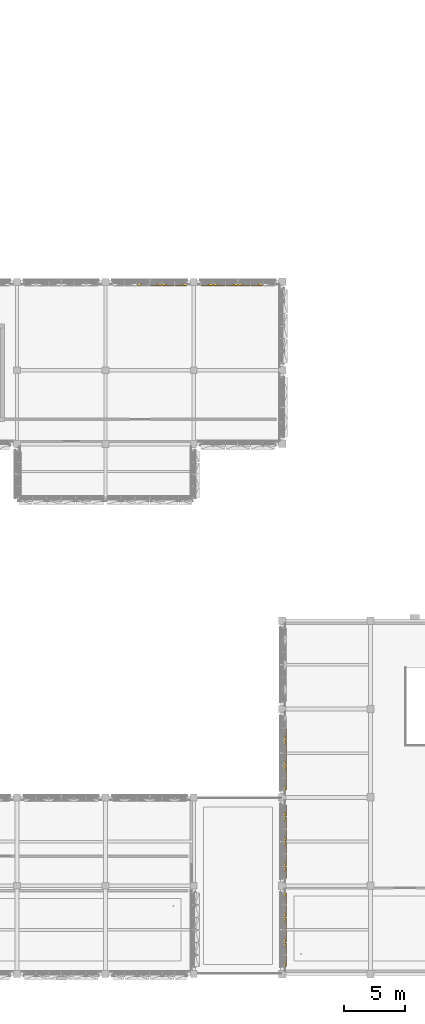
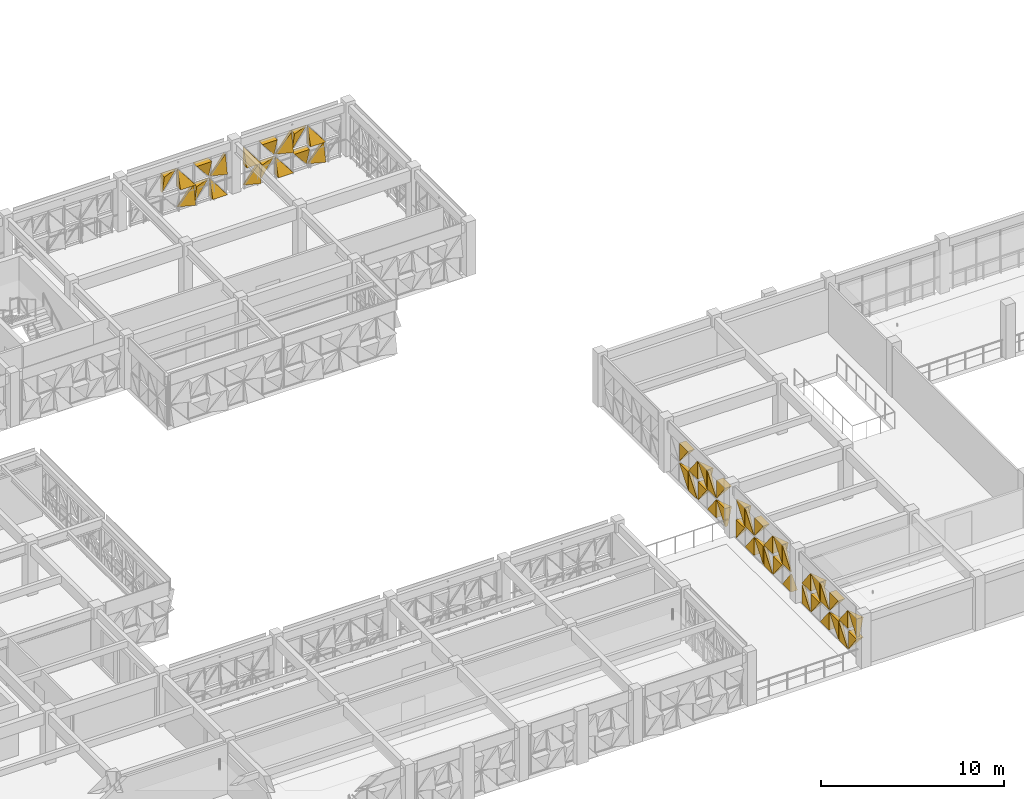
# One storey, part 84 of 85: 51 coverings.
"""IFC4 building model written with IfcOpenShell, lengths in metres."""

from ifc_helpers import new_model, si_unit, direction, frame, origin, place, context, subcontext, project, spatial, polygons, material, layer, layer_set, type_object, element, save


model = new_model("IFC4")

# Units and contexts
model_context = context("Model", 3, precision=1e-05, world=origin(), true_north=direction((0.0, 1.0)))
body_context = subcontext(model_context, "Body", "Model", "MODEL_VIEW")
ifc_project = project(units=[si_unit("LENGTHUNIT", "METRE"), si_unit("AREAUNIT", "SQUARE_METRE"), si_unit("VOLUMEUNIT", "CUBIC_METRE"), si_unit("PLANEANGLEUNIT", "RADIAN"), si_unit("MASSUNIT", "GRAM", prefix="KILO")], contexts=[model_context])

# Site, building, storey
site_placement = place(None, origin())
site = spatial("IfcSite", under=ifc_project, at=site_placement, CompositionType="ELEMENT")
building_placement = place(site_placement, origin())
building = spatial("IfcBuilding", under=site, at=building_placement, Name="Alvorim Cloister Faculty of Sciences", CompositionType="ELEMENT")
storey_placement = place(building_placement, frame((0.0, 0.0, 8.550048828125)))
storey = spatial("IfcBuildingStorey", under=building, at=storey_placement, Name="L02", CompositionType="ELEMENT", Elevation=8.550048828125)

# Coverings
ifc_material = material(Name="Perforated Bronze Alloy Sheet", Category="metal")
ifc_layer = layer(ifc_material, 0.0380859375)
ifc_layer_set = layer_set([ifc_layer], Name="Perforated Bronze Alloy Sheet")
covering_type = type_object("IfcCoveringType", Name="COV-TRI-BRZ", PredefinedType="CLADDING", material=ifc_layer_set)
covering_1_placement = place(storey_placement, frame((53.012451171875, 56.445068359375, 1.494873046875), z_axis=(0.0, 0.0, 1.0), x_axis=(1.0, 0.0, 0.0)))
element("IfcCovering", 1, at=covering_1_placement, inside=storey, type_object=covering_type, Name="Diagonal Solid Metal Triangle TRI-TL", PredefinedType="CLADDING", context=body_context, shape_type="Tessellation", body=[
    polygons([(0.953078125, 0.0260009765625, 1.215087890625), (0.0, 0.0260009765625, 1.215087890625), (0.0, 0.0260009765625, 0.002), (0.953078125, -0.03, 1.215087890625), (0.0, -0.4, 1.215087890625), (0.0, -0.13999999999999999, 0.002)], [[[1, 3, 2]], [[4, 5, 6]], [[1, 2, 5, 4]], [[2, 3, 6, 5]], [[3, 1, 4, 6]]], closed=True),
])
covering_2_placement = place(storey_placement, frame((54.032470703125, 56.445068359375, 0.139892578125), z_axis=(0.0, 0.0, 1.0), x_axis=(1.0, 0.0, 0.0)))
element("IfcCovering", 2, at=covering_2_placement, inside=storey, type_object=covering_type, Name="Diagonal Solid Metal Triangle TRI-BR", PredefinedType="CLADDING", context=body_context, shape_type="Tessellation", body=[
    polygons([(0.002, 0.0260009765625, 0.0), (0.955078125, 0.0260009765625, 0.0), (0.955078125, 0.0260009765625, 1.213087890625), (0.002, -0.03, 0.0), (0.955078125, -0.4, 0.0), (0.955078125, -0.18000000000000002, 1.213087890625)], [[[1, 3, 2]], [[4, 5, 6]], [[1, 2, 5, 4]], [[2, 3, 6, 5]], [[3, 1, 4, 6]]], closed=True),
])
covering_3_placement = place(storey_placement, frame((54.032470703125, 56.445068359375, 1.494873046875), z_axis=(0.0, 0.0, 1.0), x_axis=(1.0, 0.0, 0.0)))
element("IfcCovering", 3, at=covering_3_placement, inside=storey, type_object=covering_type, Name="Diagonal Solid Metal Triangle TRI-BL", PredefinedType="CLADDING", context=body_context, shape_type="Tessellation", body=[
    polygons([(0.0, 0.0260009765625, 0.0), (0.953078125, 0.0260009765625, 0.0), (0.0, 0.0260009765625, 1.213087890625), (0.0, -0.4, 0.0), (0.953078125, -0.4, 0.0), (0.0, -0.03, 1.213087890625)], [[[1, 3, 2]], [[4, 5, 6]], [[1, 2, 5, 4]], [[2, 3, 6, 5]], [[3, 1, 4, 6]]], closed=True),
])
covering_4_placement = place(storey_placement, frame((55.052490234375, 56.445068359375, 0.139892578125), z_axis=(0.0, 0.0, 1.0), x_axis=(1.0, 0.0, 0.0)))
element("IfcCovering", 4, at=covering_4_placement, inside=storey, type_object=covering_type, Name="Diagonal Solid Metal Triangle TRI-TL", PredefinedType="CLADDING", context=body_context, shape_type="Tessellation", body=[
    polygons([(0.953078125, 0.0260009765625, 1.215087890625), (0.0, 0.0260009765625, 1.215087890625), (0.0, 0.0260009765625, 0.002), (0.953078125, -0.03, 1.215087890625), (0.0, -0.4, 1.215087890625), (0.0, -0.13999999999999999, 0.002)], [[[1, 3, 2]], [[4, 5, 6]], [[1, 2, 5, 4]], [[2, 3, 6, 5]], [[3, 1, 4, 6]]], closed=True),
])
covering_5_placement = place(storey_placement, frame((55.052490234375, 56.445068359375, 1.494873046875), z_axis=(0.0, 0.0, 1.0), x_axis=(1.0, 0.0, 0.0)))
element("IfcCovering", 5, at=covering_5_placement, inside=storey, type_object=covering_type, Name="Diagonal Solid Metal Triangle TRI-TR", PredefinedType="CLADDING", context=body_context, shape_type="Tessellation", body=[
    polygons([(0.955078125, 0.0260009765625, 0.002), (0.955078125, 0.0260009765625, 1.215087890625), (0.002, 0.0260009765625, 1.215087890625), (0.955078125, -0.03, 0.002), (0.955078125, -0.4, 1.215087890625), (0.002, -0.4, 1.215087890625)], [[[1, 3, 2]], [[4, 5, 6]], [[1, 2, 5, 4]], [[2, 3, 6, 5]], [[3, 1, 4, 6]]], closed=True),
])
covering_6_placement = place(storey_placement, frame((56.072509765625, 56.445068359375, 0.139892578125), z_axis=(0.0, 0.0, 1.0), x_axis=(1.0, 0.0, 0.0)))
element("IfcCovering", 6, at=covering_6_placement, inside=storey, type_object=covering_type, Name="Diagonal Solid Metal Triangle TRI-BL", PredefinedType="CLADDING", context=body_context, shape_type="Tessellation", body=[
    polygons([(0.0, 0.0260009765625, 0.0), (0.920607421875, 0.0260009765625, 0.0), (0.0, 0.0260009765625, 1.213087890625), (0.0, -0.4, 0.0), (0.920607421875, -0.4, 0.0), (0.0, -0.03, 1.213087890625)], [[[1, 3, 2]], [[4, 5, 6]], [[1, 2, 5, 4]], [[2, 3, 6, 5]], [[3, 1, 4, 6]]], closed=True),
])
for number, where, z_axis, x_axis, name in (
    (7, (56.072509765625, 56.445068359375, 1.494873046875), (0.0, 0.0, 1.0), (1.0, 0.0, 0.0), "Diagonal Solid Metal Triangle TRI-BR"),
    (8, (58.205078125, 56.445068359375, 0.139892578125), (0.0, 0.0, 1.0), (1.0, 0.0, 0.0), "Diagonal Solid Metal Triangle TRI-BR"),
):
    element("IfcCovering", number, at=place(storey_placement, frame(where, z_axis=z_axis, x_axis=x_axis)), inside=storey, type_object=covering_type, Name=name, PredefinedType="CLADDING", context=body_context, shape_type="Tessellation", body=[
        polygons([(0.002, 0.0260009765625, 0.0), (0.922607421875, 0.0260009765625, 0.0), (0.922607421875, 0.0260009765625, 1.213087890625), (0.002, -0.03, 0.0), (0.922607421875, -0.4, 0.0), (0.922607421875, -0.18000000000000002, 1.213087890625)], [[[1, 3, 2]], [[4, 5, 6]], [[1, 2, 5, 4]], [[2, 3, 6, 5]], [[3, 1, 4, 6]]], closed=True),
    ])
covering_7_placement = place(storey_placement, frame((58.205078125, 56.445068359375, 1.494873046875), z_axis=(0.0, 0.0, 1.0), x_axis=(1.0, 0.0, 0.0)))
element("IfcCovering", 9, at=covering_7_placement, inside=storey, type_object=covering_type, Name="Diagonal Solid Metal Triangle TRI-BL", PredefinedType="CLADDING", context=body_context, shape_type="Tessellation", body=[
    polygons([(0.0, 0.0260009765625, 0.0), (0.920607421875, 0.0260009765625, 0.0), (0.0, 0.0260009765625, 1.213087890625), (0.0, -0.4, 0.0), (0.920607421875, -0.4, 0.0), (0.0, -0.03, 1.213087890625)], [[[1, 3, 2]], [[4, 5, 6]], [[1, 2, 5, 4]], [[2, 3, 6, 5]], [[3, 1, 4, 6]]], closed=True),
])
covering_8_placement = place(storey_placement, frame((59.1923828125, 56.445068359375, 0.139892578125), z_axis=(0.0, 0.0, 1.0), x_axis=(1.0, 0.0, 0.0)))
element("IfcCovering", 10, at=covering_8_placement, inside=storey, type_object=covering_type, Name="Diagonal Solid Metal Triangle TRI-TL", PredefinedType="CLADDING", context=body_context, shape_type="Tessellation", body=[
    polygons([(0.953078125, 0.0260009765625, 1.215087890625), (0.0, 0.0260009765625, 1.215087890625), (0.0, 0.0260009765625, 0.002), (0.953078125, -0.03, 1.215087890625), (0.0, -0.4, 1.215087890625), (0.0, -0.13999999999999999, 0.002)], [[[1, 3, 2]], [[4, 5, 6]], [[1, 2, 5, 4]], [[2, 3, 6, 5]], [[3, 1, 4, 6]]], closed=True),
])
covering_9_placement = place(storey_placement, frame((59.1923828125, 56.445068359375, 1.494873046875), z_axis=(0.0, 0.0, 1.0), x_axis=(1.0, 0.0, 0.0)))
element("IfcCovering", 11, at=covering_9_placement, inside=storey, type_object=covering_type, Name="Diagonal Solid Metal Triangle TRI-TR", PredefinedType="CLADDING", context=body_context, shape_type="Tessellation", body=[
    polygons([(0.955078125, 0.0260009765625, 0.002), (0.955078125, 0.0260009765625, 1.215087890625), (0.002, 0.0260009765625, 1.215087890625), (0.955078125, -0.03, 0.002), (0.955078125, -0.4, 1.215087890625), (0.002, -0.4, 1.215087890625)], [[[1, 3, 2]], [[4, 5, 6]], [[1, 2, 5, 4]], [[2, 3, 6, 5]], [[3, 1, 4, 6]]], closed=True),
])
covering_10_placement = place(storey_placement, frame((60.21240234375, 56.445068359375, 0.139892578125), z_axis=(0.0, 0.0, 1.0), x_axis=(1.0, 0.0, 0.0)))
element("IfcCovering", 12, at=covering_10_placement, inside=storey, type_object=covering_type, Name="Diagonal Solid Metal Triangle TRI-BL", PredefinedType="CLADDING", context=body_context, shape_type="Tessellation", body=[
    polygons([(0.0, 0.0260009765625, 0.0), (0.953078125, 0.0260009765625, 0.0), (0.0, 0.0260009765625, 1.213087890625), (0.0, -0.4, 0.0), (0.953078125, -0.4, 0.0), (0.0, -0.03, 1.213087890625)], [[[1, 3, 2]], [[4, 5, 6]], [[1, 2, 5, 4]], [[2, 3, 6, 5]], [[3, 1, 4, 6]]], closed=True),
])
covering_11_placement = place(storey_placement, frame((60.21240234375, 56.445068359375, 1.494873046875), z_axis=(0.0, 0.0, 1.0), x_axis=(1.0, 0.0, 0.0)))
element("IfcCovering", 13, at=covering_11_placement, inside=storey, type_object=covering_type, Name="Diagonal Solid Metal Triangle TRI-BR", PredefinedType="CLADDING", context=body_context, shape_type="Tessellation", body=[
    polygons([(0.002, 0.0260009765625, 0.0), (0.955078125, 0.0260009765625, 0.0), (0.955078125, 0.0260009765625, 1.213087890625), (0.002, -0.03, 0.0), (0.955078125, -0.4, 0.0), (0.955078125, -0.18000000000000002, 1.213087890625)], [[[1, 3, 2]], [[4, 5, 6]], [[1, 2, 5, 4]], [[2, 3, 6, 5]], [[3, 1, 4, 6]]], closed=True),
])
covering_12_placement = place(storey_placement, frame((61.232421875, 56.445068359375, 0.139892578125), z_axis=(0.0, 0.0, 1.0), x_axis=(1.0, 0.0, 0.0)))
element("IfcCovering", 14, at=covering_12_placement, inside=storey, type_object=covering_type, Name="Diagonal Solid Metal Triangle TRI-TR", PredefinedType="CLADDING", context=body_context, shape_type="Tessellation", body=[
    polygons([(0.955078125, 0.0260009765625, 0.002), (0.955078125, 0.0260009765625, 1.215087890625), (0.002, 0.0260009765625, 1.215087890625), (0.955078125, -0.03, 0.002), (0.955078125, -0.4, 1.215087890625), (0.002, -0.4, 1.215087890625)], [[[1, 3, 2]], [[4, 5, 6]], [[1, 2, 5, 4]], [[2, 3, 6, 5]], [[3, 1, 4, 6]]], closed=True),
])
covering_13_placement = place(storey_placement, frame((61.232421875, 56.445068359375, 1.494873046875), z_axis=(0.0, 0.0, 1.0), x_axis=(1.0, 0.0, 0.0)))
element("IfcCovering", 15, at=covering_13_placement, inside=storey, type_object=covering_type, Name="Diagonal Solid Metal Triangle TRI-TL", PredefinedType="CLADDING", context=body_context, shape_type="Tessellation", body=[
    polygons([(0.953078125, 0.0260009765625, 1.215087890625), (0.0, 0.0260009765625, 1.215087890625), (0.0, 0.0260009765625, 0.002), (0.953078125, -0.03, 1.215087890625), (0.0, -0.4, 1.215087890625), (0.0, -0.13999999999999999, 0.002)], [[[1, 3, 2]], [[4, 5, 6]], [[1, 2, 5, 4]], [[2, 3, 6, 5]], [[3, 1, 4, 6]]], closed=True),
])
covering_14_placement = place(storey_placement, frame((62.25244140625, 56.445068359375, 0.139892578125), z_axis=(0.0, 0.0, 1.0), x_axis=(1.0, 0.0, 0.0)))
element("IfcCovering", 16, at=covering_14_placement, inside=storey, type_object=covering_type, Name="Diagonal Solid Metal Triangle TRI-BR", PredefinedType="CLADDING", context=body_context, shape_type="Tessellation", body=[
    polygons([(0.002, 0.0260009765625, 0.0), (0.955078125, 0.0260009765625, 0.0), (0.955078125, 0.0260009765625, 1.213087890625), (0.002, -0.03, 0.0), (0.955078125, -0.4, 0.0), (0.955078125, -0.18000000000000002, 1.213087890625)], [[[1, 3, 2]], [[4, 5, 6]], [[1, 2, 5, 4]], [[2, 3, 6, 5]], [[3, 1, 4, 6]]], closed=True),
])
covering_15_placement = place(storey_placement, frame((62.25244140625, 56.445068359375, 1.494873046875), z_axis=(0.0, 0.0, 1.0), x_axis=(1.0, 0.0, 0.0)))
element("IfcCovering", 17, at=covering_15_placement, inside=storey, type_object=covering_type, Name="Diagonal Solid Metal Triangle TRI-BL", PredefinedType="CLADDING", context=body_context, shape_type="Tessellation", body=[
    polygons([(0.0, 0.0260009765625, 0.0), (0.953078125, 0.0260009765625, 0.0), (0.0, 0.0260009765625, 1.213087890625), (0.0, -0.4, 0.0), (0.953078125, -0.4, 0.0), (0.0, -0.03, 1.213087890625)], [[[1, 3, 2]], [[4, 5, 6]], [[1, 2, 5, 4]], [[2, 3, 6, 5]], [[3, 1, 4, 6]]], closed=True),
])
covering_16_placement = place(storey_placement, frame((64.7548828125, 0.60498046875, 0.139892578125), z_axis=(0.0, 0.0, 1.0), x_axis=(0.0, 1.0, 0.0)))
element("IfcCovering", 18, at=covering_16_placement, inside=storey, type_object=covering_type, Name="Diagonal Solid Metal Triangle TRI-TR", PredefinedType="CLADDING", context=body_context, shape_type="Tessellation", body=[
    polygons([(0.922607421875, 0.0260009765625, 0.002), (0.922607421875, 0.0260009765625, 1.215087890625), (0.002, 0.0260009765625, 1.215087890625), (0.922607421875, -0.03, 0.002), (0.922607421875, -0.4, 1.215087890625), (0.002, -0.4, 1.215087890625)], [[[1, 3, 2]], [[4, 5, 6]], [[1, 2, 5, 4]], [[2, 3, 6, 5]], [[3, 1, 4, 6]]], closed=True),
])
covering_17_placement = place(storey_placement, frame((64.7548828125, 0.60498046875, 1.494873046875), z_axis=(0.0, 0.0, 1.0), x_axis=(0.0, 1.0, 0.0)))
element("IfcCovering", 19, at=covering_17_placement, inside=storey, type_object=covering_type, Name="Diagonal Solid Metal Triangle TRI-TL", PredefinedType="CLADDING", context=body_context, shape_type="Tessellation", body=[
    polygons([(0.920607421875, 0.0260009765625, 1.215087890625), (0.0, 0.0260009765625, 1.215087890625), (0.0, 0.0260009765625, 0.002), (0.920607421875, -0.03, 1.215087890625), (0.0, -0.4, 1.215087890625), (0.0, -0.13999999999999999, 0.002)], [[[1, 3, 2]], [[4, 5, 6]], [[1, 2, 5, 4]], [[2, 3, 6, 5]], [[3, 1, 4, 6]]], closed=True),
])
covering_18_placement = place(storey_placement, frame((64.7548828125, 1.592529296875, 0.139892578125), z_axis=(0.0, 0.0, 1.0), x_axis=(0.0, 1.0, 0.0)))
element("IfcCovering", 20, at=covering_18_placement, inside=storey, type_object=covering_type, Name="Diagonal Solid Metal Triangle TRI-BR", PredefinedType="CLADDING", context=body_context, shape_type="Tessellation", body=[
    polygons([(0.002, 0.0260009765625, 0.0), (0.955078125, 0.0260009765625, 0.0), (0.955078125, 0.0260009765625, 1.213087890625), (0.002, -0.03, 0.0), (0.955078125, -0.4, 0.0), (0.955078125, -0.18000000000000002, 1.213087890625)], [[[1, 3, 2]], [[4, 5, 6]], [[1, 2, 5, 4]], [[2, 3, 6, 5]], [[3, 1, 4, 6]]], closed=True),
])
covering_19_placement = place(storey_placement, frame((64.7548828125, 1.592529296875, 1.494873046875), z_axis=(0.0, 0.0, 1.0), x_axis=(0.0, 1.0, 0.0)))
element("IfcCovering", 21, at=covering_19_placement, inside=storey, type_object=covering_type, Name="Diagonal Solid Metal Triangle TRI-BL", PredefinedType="CLADDING", context=body_context, shape_type="Tessellation", body=[
    polygons([(0.0, 0.0260009765625, 0.0), (0.953078125, 0.0260009765625, 0.0), (0.0, 0.0260009765625, 1.213087890625), (0.0, -0.4, 0.0), (0.953078125, -0.4, 0.0), (0.0, -0.03, 1.213087890625)], [[[1, 3, 2]], [[4, 5, 6]], [[1, 2, 5, 4]], [[2, 3, 6, 5]], [[3, 1, 4, 6]]], closed=True),
])
covering_20_placement = place(storey_placement, frame((64.7548828125, 2.612548828125, 0.139892578125), z_axis=(0.0, 0.0, 1.0), x_axis=(0.0, 1.0, 0.0)))
element("IfcCovering", 22, at=covering_20_placement, inside=storey, type_object=covering_type, Name="Diagonal Solid Metal Triangle TRI-TL", PredefinedType="CLADDING", context=body_context, shape_type="Tessellation", body=[
    polygons([(0.953078125, 0.0260009765625, 1.215087890625), (0.0, 0.0260009765625, 1.215087890625), (0.0, 0.0260009765625, 0.002), (0.953078125, -0.03, 1.215087890625), (0.0, -0.4, 1.215087890625), (0.0, -0.13999999999999999, 0.002)], [[[1, 3, 2]], [[4, 5, 6]], [[1, 2, 5, 4]], [[2, 3, 6, 5]], [[3, 1, 4, 6]]], closed=True),
])
covering_21_placement = place(storey_placement, frame((64.7548828125, 2.612548828125, 1.494873046875), z_axis=(0.0, 0.0, 1.0), x_axis=(0.0, 1.0, 0.0)))
element("IfcCovering", 23, at=covering_21_placement, inside=storey, type_object=covering_type, Name="Diagonal Solid Metal Triangle TRI-TR", PredefinedType="CLADDING", context=body_context, shape_type="Tessellation", body=[
    polygons([(0.955078125, 0.0260009765625, 0.002), (0.955078125, 0.0260009765625, 1.215087890625), (0.002, 0.0260009765625, 1.215087890625), (0.955078125, -0.03, 0.002), (0.955078125, -0.4, 1.215087890625), (0.002, -0.4, 1.215087890625)], [[[1, 3, 2]], [[4, 5, 6]], [[1, 2, 5, 4]], [[2, 3, 6, 5]], [[3, 1, 4, 6]]], closed=True),
])
covering_22_placement = place(storey_placement, frame((64.7548828125, 3.632568359375, 0.139892578125), z_axis=(0.0, 0.0, 1.0), x_axis=(0.0, 1.0, 0.0)))
element("IfcCovering", 24, at=covering_22_placement, inside=storey, type_object=covering_type, Name="Diagonal Solid Metal Triangle TRI-BL", PredefinedType="CLADDING", context=body_context, shape_type="Tessellation", body=[
    polygons([(0.0, 0.0260009765625, 0.0), (0.953078125, 0.0260009765625, 0.0), (0.0, 0.0260009765625, 1.213087890625), (0.0, -0.4, 0.0), (0.953078125, -0.4, 0.0), (0.0, -0.03, 1.213087890625)], [[[1, 3, 2]], [[4, 5, 6]], [[1, 2, 5, 4]], [[2, 3, 6, 5]], [[3, 1, 4, 6]]], closed=True),
])
covering_23_placement = place(storey_placement, frame((64.7548828125, 3.632568359375, 1.494873046875), z_axis=(0.0, 0.0, 1.0), x_axis=(0.0, 1.0, 0.0)))
element("IfcCovering", 25, at=covering_23_placement, inside=storey, type_object=covering_type, Name="Diagonal Solid Metal Triangle TRI-BR", PredefinedType="CLADDING", context=body_context, shape_type="Tessellation", body=[
    polygons([(0.002, 0.0260009765625, 0.0), (0.955078125, 0.0260009765625, 0.0), (0.955078125, 0.0260009765625, 1.213087890625), (0.002, -0.03, 0.0), (0.955078125, -0.4, 0.0), (0.955078125, -0.18000000000000002, 1.213087890625)], [[[1, 3, 2]], [[4, 5, 6]], [[1, 2, 5, 4]], [[2, 3, 6, 5]], [[3, 1, 4, 6]]], closed=True),
])
covering_24_placement = place(storey_placement, frame((64.7548828125, 4.652587890625, 0.139892578125), z_axis=(0.0, 0.0, 1.0), x_axis=(0.0, 1.0, 0.0)))
element("IfcCovering", 26, at=covering_24_placement, inside=storey, type_object=covering_type, Name="Diagonal Solid Metal Triangle TRI-TR", PredefinedType="CLADDING", context=body_context, shape_type="Tessellation", body=[
    polygons([(0.955078125, 0.0260009765625, 0.002), (0.955078125, 0.0260009765625, 1.215087890625), (0.002, 0.0260009765625, 1.215087890625), (0.955078125, -0.03, 0.002), (0.955078125, -0.4, 1.215087890625), (0.002, -0.4, 1.215087890625)], [[[1, 3, 2]], [[4, 5, 6]], [[1, 2, 5, 4]], [[2, 3, 6, 5]], [[3, 1, 4, 6]]], closed=True),
])
covering_25_placement = place(storey_placement, frame((64.7548828125, 4.652587890625, 1.494873046875), z_axis=(0.0, 0.0, 1.0), x_axis=(0.0, 1.0, 0.0)))
element("IfcCovering", 27, at=covering_25_placement, inside=storey, type_object=covering_type, Name="Diagonal Solid Metal Triangle TRI-TL", PredefinedType="CLADDING", context=body_context, shape_type="Tessellation", body=[
    polygons([(0.953078125, 0.0260009765625, 1.215087890625), (0.0, 0.0260009765625, 1.215087890625), (0.0, 0.0260009765625, 0.002), (0.953078125, -0.03, 1.215087890625), (0.0, -0.4, 1.215087890625), (0.0, -0.13999999999999999, 0.002)], [[[1, 3, 2]], [[4, 5, 6]], [[1, 2, 5, 4]], [[2, 3, 6, 5]], [[3, 1, 4, 6]]], closed=True),
])
covering_26_placement = place(storey_placement, frame((64.7548828125, 5.672607421875, 0.139892578125), z_axis=(0.0, 0.0, 1.0), x_axis=(0.0, 1.0, 0.0)))
element("IfcCovering", 28, at=covering_26_placement, inside=storey, type_object=covering_type, Name="Diagonal Solid Metal Triangle TRI-BR", PredefinedType="CLADDING", context=body_context, shape_type="Tessellation", body=[
    polygons([(0.002, 0.0260009765625, 0.0), (0.922607421875, 0.0260009765625, 0.0), (0.922607421875, 0.0260009765625, 1.213087890625), (0.002, -0.03, 0.0), (0.922607421875, -0.4, 0.0), (0.922607421875, -0.18000000000000002, 1.213087890625)], [[[1, 3, 2]], [[4, 5, 6]], [[1, 2, 5, 4]], [[2, 3, 6, 5]], [[3, 1, 4, 6]]], closed=True),
])
for number, where, z_axis, x_axis, name in (
    (29, (64.7548828125, 5.672607421875, 1.494873046875), (0.0, 0.0, 1.0), (0.0, 1.0, 0.0), "Diagonal Solid Metal Triangle TRI-BL"),
    (30, (64.7548828125, 7.804931640625, 0.139892578125), (0.0, 0.0, 1.0), (0.0, 1.0, 0.0), "Diagonal Solid Metal Triangle TRI-BL"),
):
    element("IfcCovering", number, at=place(storey_placement, frame(where, z_axis=z_axis, x_axis=x_axis)), inside=storey, type_object=covering_type, Name=name, PredefinedType="CLADDING", context=body_context, shape_type="Tessellation", body=[
        polygons([(0.0, 0.0260009765625, 0.0), (0.920607421875, 0.0260009765625, 0.0), (0.0, 0.0260009765625, 1.213087890625), (0.0, -0.4, 0.0), (0.920607421875, -0.4, 0.0), (0.0, -0.03, 1.213087890625)], [[[1, 3, 2]], [[4, 5, 6]], [[1, 2, 5, 4]], [[2, 3, 6, 5]], [[3, 1, 4, 6]]], closed=True),
    ])
covering_27_placement = place(storey_placement, frame((64.7548828125, 7.804931640625, 1.494873046875), z_axis=(0.0, 0.0, 1.0), x_axis=(0.0, 1.0, 0.0)))
element("IfcCovering", 31, at=covering_27_placement, inside=storey, type_object=covering_type, Name="Diagonal Solid Metal Triangle TRI-BR", PredefinedType="CLADDING", context=body_context, shape_type="Tessellation", body=[
    polygons([(0.002, 0.0260009765625, 0.0), (0.922607421875, 0.0260009765625, 0.0), (0.922607421875, 0.0260009765625, 1.213087890625), (0.002, -0.03, 0.0), (0.922607421875, -0.4, 0.0), (0.922607421875, -0.18000000000000002, 1.213087890625)], [[[1, 3, 2]], [[4, 5, 6]], [[1, 2, 5, 4]], [[2, 3, 6, 5]], [[3, 1, 4, 6]]], closed=True),
])
covering_28_placement = place(storey_placement, frame((64.7548828125, 8.79248046875, 0.139892578125), z_axis=(0.0, 0.0, 1.0), x_axis=(0.0, 1.0, 0.0)))
element("IfcCovering", 32, at=covering_28_placement, inside=storey, type_object=covering_type, Name="Diagonal Solid Metal Triangle TRI-TR", PredefinedType="CLADDING", context=body_context, shape_type="Tessellation", body=[
    polygons([(0.955078125, 0.0260009765625, 0.002), (0.955078125, 0.0260009765625, 1.215087890625), (0.002, 0.0260009765625, 1.215087890625), (0.955078125, -0.03, 0.002), (0.955078125, -0.4, 1.215087890625), (0.002, -0.4, 1.215087890625)], [[[1, 3, 2]], [[4, 5, 6]], [[1, 2, 5, 4]], [[2, 3, 6, 5]], [[3, 1, 4, 6]]], closed=True),
])
covering_29_placement = place(storey_placement, frame((64.7548828125, 8.79248046875, 1.494873046875), z_axis=(0.0, 0.0, 1.0), x_axis=(0.0, 1.0, 0.0)))
element("IfcCovering", 33, at=covering_29_placement, inside=storey, type_object=covering_type, Name="Diagonal Solid Metal Triangle TRI-TL", PredefinedType="CLADDING", context=body_context, shape_type="Tessellation", body=[
    polygons([(0.953078125, 0.0260009765625, 1.215087890625), (0.0, 0.0260009765625, 1.215087890625), (0.0, 0.0260009765625, 0.002), (0.953078125, -0.03, 1.215087890625), (0.0, -0.4, 1.215087890625), (0.0, -0.13999999999999999, 0.002)], [[[1, 3, 2]], [[4, 5, 6]], [[1, 2, 5, 4]], [[2, 3, 6, 5]], [[3, 1, 4, 6]]], closed=True),
])
covering_30_placement = place(storey_placement, frame((64.7548828125, 9.8125, 0.139892578125), z_axis=(0.0, 0.0, 1.0), x_axis=(0.0, 1.0, 0.0)))
element("IfcCovering", 34, at=covering_30_placement, inside=storey, type_object=covering_type, Name="Diagonal Solid Metal Triangle TRI-BR", PredefinedType="CLADDING", context=body_context, shape_type="Tessellation", body=[
    polygons([(0.002, 0.0260009765625, 0.0), (0.955078125, 0.0260009765625, 0.0), (0.955078125, 0.0260009765625, 1.213087890625), (0.002, -0.03, 0.0), (0.955078125, -0.4, 0.0), (0.955078125, -0.18000000000000002, 1.213087890625)], [[[1, 3, 2]], [[4, 5, 6]], [[1, 2, 5, 4]], [[2, 3, 6, 5]], [[3, 1, 4, 6]]], closed=True),
])
covering_31_placement = place(storey_placement, frame((64.7548828125, 9.8125, 1.494873046875), z_axis=(0.0, 0.0, 1.0), x_axis=(0.0, 1.0, 0.0)))
element("IfcCovering", 35, at=covering_31_placement, inside=storey, type_object=covering_type, Name="Diagonal Solid Metal Triangle TRI-BL", PredefinedType="CLADDING", context=body_context, shape_type="Tessellation", body=[
    polygons([(0.0, 0.0260009765625, 0.0), (0.953078125, 0.0260009765625, 0.0), (0.0, 0.0260009765625, 1.213087890625), (0.0, -0.4, 0.0), (0.953078125, -0.4, 0.0), (0.0, -0.03, 1.213087890625)], [[[1, 3, 2]], [[4, 5, 6]], [[1, 2, 5, 4]], [[2, 3, 6, 5]], [[3, 1, 4, 6]]], closed=True),
])
covering_32_placement = place(storey_placement, frame((64.7548828125, 10.83251953125, 0.139892578125), z_axis=(0.0, 0.0, 1.0), x_axis=(0.0, 1.0, 0.0)))
element("IfcCovering", 36, at=covering_32_placement, inside=storey, type_object=covering_type, Name="Diagonal Solid Metal Triangle TRI-TL", PredefinedType="CLADDING", context=body_context, shape_type="Tessellation", body=[
    polygons([(0.953078125, 0.0260009765625, 1.215087890625), (0.0, 0.0260009765625, 1.215087890625), (0.0, 0.0260009765625, 0.002), (0.953078125, -0.03, 1.215087890625), (0.0, -0.4, 1.215087890625), (0.0, -0.13999999999999999, 0.002)], [[[1, 3, 2]], [[4, 5, 6]], [[1, 2, 5, 4]], [[2, 3, 6, 5]], [[3, 1, 4, 6]]], closed=True),
])
covering_33_placement = place(storey_placement, frame((64.7548828125, 10.83251953125, 1.494873046875), z_axis=(0.0, 0.0, 1.0), x_axis=(0.0, 1.0, 0.0)))
element("IfcCovering", 37, at=covering_33_placement, inside=storey, type_object=covering_type, Name="Diagonal Solid Metal Triangle TRI-TR", PredefinedType="CLADDING", context=body_context, shape_type="Tessellation", body=[
    polygons([(0.955078125, 0.0260009765625, 0.002), (0.955078125, 0.0260009765625, 1.215087890625), (0.002, 0.0260009765625, 1.215087890625), (0.955078125, -0.03, 0.002), (0.955078125, -0.4, 1.215087890625), (0.002, -0.4, 1.215087890625)], [[[1, 3, 2]], [[4, 5, 6]], [[1, 2, 5, 4]], [[2, 3, 6, 5]], [[3, 1, 4, 6]]], closed=True),
])
covering_34_placement = place(storey_placement, frame((64.7548828125, 11.8525390625, 0.139892578125), z_axis=(0.0, 0.0, 1.0), x_axis=(0.0, 1.0, 0.0)))
element("IfcCovering", 38, at=covering_34_placement, inside=storey, type_object=covering_type, Name="Diagonal Solid Metal Triangle TRI-BL", PredefinedType="CLADDING", context=body_context, shape_type="Tessellation", body=[
    polygons([(0.0, 0.0260009765625, 0.0), (0.953078125, 0.0260009765625, 0.0), (0.0, 0.0260009765625, 1.213087890625), (0.0, -0.4, 0.0), (0.953078125, -0.4, 0.0), (0.0, -0.03, 1.213087890625)], [[[1, 3, 2]], [[4, 5, 6]], [[1, 2, 5, 4]], [[2, 3, 6, 5]], [[3, 1, 4, 6]]], closed=True),
])
covering_35_placement = place(storey_placement, frame((64.7548828125, 11.8525390625, 1.494873046875), z_axis=(0.0, 0.0, 1.0), x_axis=(0.0, 1.0, 0.0)))
element("IfcCovering", 39, at=covering_35_placement, inside=storey, type_object=covering_type, Name="Diagonal Solid Metal Triangle TRI-BR", PredefinedType="CLADDING", context=body_context, shape_type="Tessellation", body=[
    polygons([(0.002, 0.0260009765625, 0.0), (0.955078125, 0.0260009765625, 0.0), (0.955078125, 0.0260009765625, 1.213087890625), (0.002, -0.03, 0.0), (0.955078125, -0.4, 0.0), (0.955078125, -0.18000000000000002, 1.213087890625)], [[[1, 3, 2]], [[4, 5, 6]], [[1, 2, 5, 4]], [[2, 3, 6, 5]], [[3, 1, 4, 6]]], closed=True),
])
covering_36_placement = place(storey_placement, frame((64.7548828125, 12.87255859375, 0.139892578125), z_axis=(0.0, 0.0, 1.0), x_axis=(0.0, 1.0, 0.0)))
element("IfcCovering", 40, at=covering_36_placement, inside=storey, type_object=covering_type, Name="Diagonal Solid Metal Triangle TRI-TR", PredefinedType="CLADDING", context=body_context, shape_type="Tessellation", body=[
    polygons([(0.922607421875, 0.0260009765625, 0.002), (0.922607421875, 0.0260009765625, 1.215087890625), (0.002, 0.0260009765625, 1.215087890625), (0.922607421875, -0.03, 0.002), (0.922607421875, -0.4, 1.215087890625), (0.002, -0.4, 1.215087890625)], [[[1, 3, 2]], [[4, 5, 6]], [[1, 2, 5, 4]], [[2, 3, 6, 5]], [[3, 1, 4, 6]]], closed=True),
])
for number, where, z_axis, x_axis, name in (
    (41, (64.7548828125, 12.87255859375, 1.494873046875), (0.0, 0.0, 1.0), (0.0, 1.0, 0.0), "Diagonal Solid Metal Triangle TRI-TL"),
    (42, (64.7548828125, 15.0048828125, 0.139892578125), (0.0, 0.0, 1.0), (0.0, 1.0, 0.0), "Diagonal Solid Metal Triangle TRI-TL"),
):
    element("IfcCovering", number, at=place(storey_placement, frame(where, z_axis=z_axis, x_axis=x_axis)), inside=storey, type_object=covering_type, Name=name, PredefinedType="CLADDING", context=body_context, shape_type="Tessellation", body=[
        polygons([(0.920607421875, 0.0260009765625, 1.215087890625), (0.0, 0.0260009765625, 1.215087890625), (0.0, 0.0260009765625, 0.002), (0.920607421875, -0.03, 1.215087890625), (0.0, -0.4, 1.215087890625), (0.0, -0.13999999999999999, 0.002)], [[[1, 3, 2]], [[4, 5, 6]], [[1, 2, 5, 4]], [[2, 3, 6, 5]], [[3, 1, 4, 6]]], closed=True),
    ])
covering_37_placement = place(storey_placement, frame((64.7548828125, 15.0048828125, 1.494873046875), z_axis=(0.0, 0.0, 1.0), x_axis=(0.0, 1.0, 0.0)))
element("IfcCovering", 43, at=covering_37_placement, inside=storey, type_object=covering_type, Name="Diagonal Solid Metal Triangle TRI-TR", PredefinedType="CLADDING", context=body_context, shape_type="Tessellation", body=[
    polygons([(0.922607421875, 0.0260009765625, 0.002), (0.922607421875, 0.0260009765625, 1.215087890625), (0.002, 0.0260009765625, 1.215087890625), (0.922607421875, -0.03, 0.002), (0.922607421875, -0.4, 1.215087890625), (0.002, -0.4, 1.215087890625)], [[[1, 3, 2]], [[4, 5, 6]], [[1, 2, 5, 4]], [[2, 3, 6, 5]], [[3, 1, 4, 6]]], closed=True),
])
covering_38_placement = place(storey_placement, frame((64.7548828125, 15.992431640625, 0.139892578125), z_axis=(0.0, 0.0, 1.0), x_axis=(0.0, 1.0, 0.0)))
element("IfcCovering", 44, at=covering_38_placement, inside=storey, type_object=covering_type, Name="Diagonal Solid Metal Triangle TRI-BL", PredefinedType="CLADDING", context=body_context, shape_type="Tessellation", body=[
    polygons([(0.0, 0.0260009765625, 0.0), (0.953078125, 0.0260009765625, 0.0), (0.0, 0.0260009765625, 1.213087890625), (0.0, -0.4, 0.0), (0.953078125, -0.4, 0.0), (0.0, -0.03, 1.213087890625)], [[[1, 3, 2]], [[4, 5, 6]], [[1, 2, 5, 4]], [[2, 3, 6, 5]], [[3, 1, 4, 6]]], closed=True),
])
covering_39_placement = place(storey_placement, frame((64.7548828125, 15.992431640625, 1.494873046875), z_axis=(0.0, 0.0, 1.0), x_axis=(0.0, 1.0, 0.0)))
element("IfcCovering", 45, at=covering_39_placement, inside=storey, type_object=covering_type, Name="Diagonal Solid Metal Triangle TRI-BR", PredefinedType="CLADDING", context=body_context, shape_type="Tessellation", body=[
    polygons([(0.002, 0.0260009765625, 0.0), (0.955078125, 0.0260009765625, 0.0), (0.955078125, 0.0260009765625, 1.213087890625), (0.002, -0.03, 0.0), (0.955078125, -0.4, 0.0), (0.955078125, -0.18000000000000002, 1.213087890625)], [[[1, 3, 2]], [[4, 5, 6]], [[1, 2, 5, 4]], [[2, 3, 6, 5]], [[3, 1, 4, 6]]], closed=True),
])
covering_40_placement = place(storey_placement, frame((64.7548828125, 17.012451171875, 0.139892578125), z_axis=(0.0, 0.0, 1.0), x_axis=(0.0, 1.0, 0.0)))
element("IfcCovering", 46, at=covering_40_placement, inside=storey, type_object=covering_type, Name="Diagonal Solid Metal Triangle TRI-TR", PredefinedType="CLADDING", context=body_context, shape_type="Tessellation", body=[
    polygons([(0.955078125, 0.0260009765625, 0.002), (0.955078125, 0.0260009765625, 1.215087890625), (0.002, 0.0260009765625, 1.215087890625), (0.955078125, -0.03, 0.002), (0.955078125, -0.4, 1.215087890625), (0.002, -0.4, 1.215087890625)], [[[1, 3, 2]], [[4, 5, 6]], [[1, 2, 5, 4]], [[2, 3, 6, 5]], [[3, 1, 4, 6]]], closed=True),
])
covering_41_placement = place(storey_placement, frame((64.7548828125, 17.012451171875, 1.494873046875), z_axis=(0.0, 0.0, 1.0), x_axis=(0.0, 1.0, 0.0)))
element("IfcCovering", 47, at=covering_41_placement, inside=storey, type_object=covering_type, Name="Diagonal Solid Metal Triangle TRI-TL", PredefinedType="CLADDING", context=body_context, shape_type="Tessellation", body=[
    polygons([(0.953078125, 0.0260009765625, 1.215087890625), (0.0, 0.0260009765625, 1.215087890625), (0.0, 0.0260009765625, 0.002), (0.953078125, -0.03, 1.215087890625), (0.0, -0.4, 1.215087890625), (0.0, -0.13999999999999999, 0.002)], [[[1, 3, 2]], [[4, 5, 6]], [[1, 2, 5, 4]], [[2, 3, 6, 5]], [[3, 1, 4, 6]]], closed=True),
])
covering_42_placement = place(storey_placement, frame((64.7548828125, 18.032470703125, 0.139892578125), z_axis=(0.0, 0.0, 1.0), x_axis=(0.0, 1.0, 0.0)))
element("IfcCovering", 48, at=covering_42_placement, inside=storey, type_object=covering_type, Name="Diagonal Solid Metal Triangle TRI-BR", PredefinedType="CLADDING", context=body_context, shape_type="Tessellation", body=[
    polygons([(0.002, 0.0260009765625, 0.0), (0.955078125, 0.0260009765625, 0.0), (0.955078125, 0.0260009765625, 1.213087890625), (0.002, -0.03, 0.0), (0.955078125, -0.4, 0.0), (0.955078125, -0.18000000000000002, 1.213087890625)], [[[1, 3, 2]], [[4, 5, 6]], [[1, 2, 5, 4]], [[2, 3, 6, 5]], [[3, 1, 4, 6]]], closed=True),
])
covering_43_placement = place(storey_placement, frame((64.7548828125, 18.032470703125, 1.494873046875), z_axis=(0.0, 0.0, 1.0), x_axis=(0.0, 1.0, 0.0)))
element("IfcCovering", 49, at=covering_43_placement, inside=storey, type_object=covering_type, Name="Diagonal Solid Metal Triangle TRI-BL", PredefinedType="CLADDING", context=body_context, shape_type="Tessellation", body=[
    polygons([(0.0, 0.0260009765625, 0.0), (0.953078125, 0.0260009765625, 0.0), (0.0, 0.0260009765625, 1.213087890625), (0.0, -0.4, 0.0), (0.953078125, -0.4, 0.0), (0.0, -0.03, 1.213087890625)], [[[1, 3, 2]], [[4, 5, 6]], [[1, 2, 5, 4]], [[2, 3, 6, 5]], [[3, 1, 4, 6]]], closed=True),
])
covering_44_placement = place(storey_placement, frame((64.7548828125, 19.052490234375, 0.139892578125), z_axis=(0.0, 0.0, 1.0), x_axis=(0.0, 1.0, 0.0)))
element("IfcCovering", 50, at=covering_44_placement, inside=storey, type_object=covering_type, Name="Diagonal Solid Metal Triangle TRI-TL", PredefinedType="CLADDING", context=body_context, shape_type="Tessellation", body=[
    polygons([(0.953078125, 0.0260009765625, 1.215087890625), (0.0, 0.0260009765625, 1.215087890625), (0.0, 0.0260009765625, 0.002), (0.953078125, -0.03, 1.215087890625), (0.0, -0.4, 1.215087890625), (0.0, -0.13999999999999999, 0.002)], [[[1, 3, 2]], [[4, 5, 6]], [[1, 2, 5, 4]], [[2, 3, 6, 5]], [[3, 1, 4, 6]]], closed=True),
])
covering_45_placement = place(storey_placement, frame((64.7548828125, 19.052490234375, 1.494873046875), z_axis=(0.0, 0.0, 1.0), x_axis=(0.0, 1.0, 0.0)))
element("IfcCovering", 51, at=covering_45_placement, inside=storey, type_object=covering_type, Name="Diagonal Solid Metal Triangle TRI-TR", PredefinedType="CLADDING", context=body_context, shape_type="Tessellation", body=[
    polygons([(0.955078125, 0.0260009765625, 0.002), (0.955078125, 0.0260009765625, 1.215087890625), (0.002, 0.0260009765625, 1.215087890625), (0.955078125, -0.03, 0.002), (0.955078125, -0.4, 1.215087890625), (0.002, -0.4, 1.215087890625)], [[[1, 3, 2]], [[4, 5, 6]], [[1, 2, 5, 4]], [[2, 3, 6, 5]], [[3, 1, 4, 6]]], closed=True),
])

save(model, "model.ifc")
